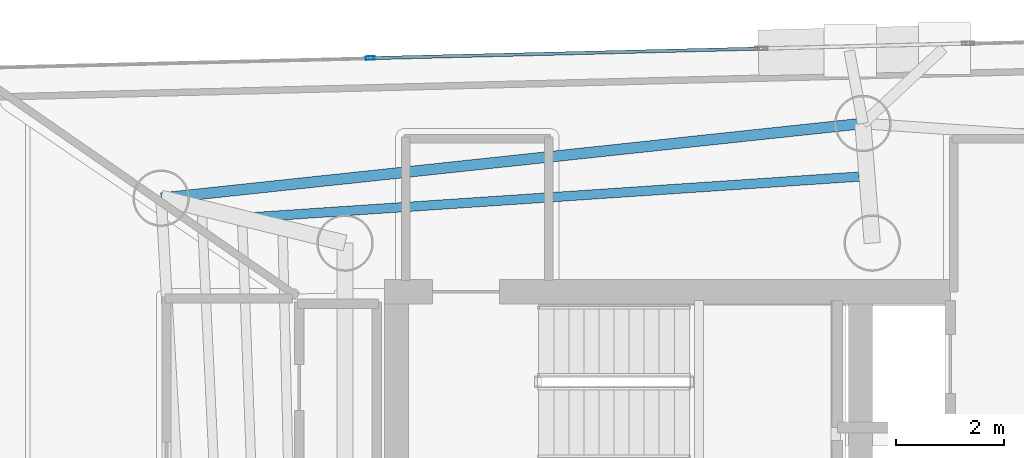
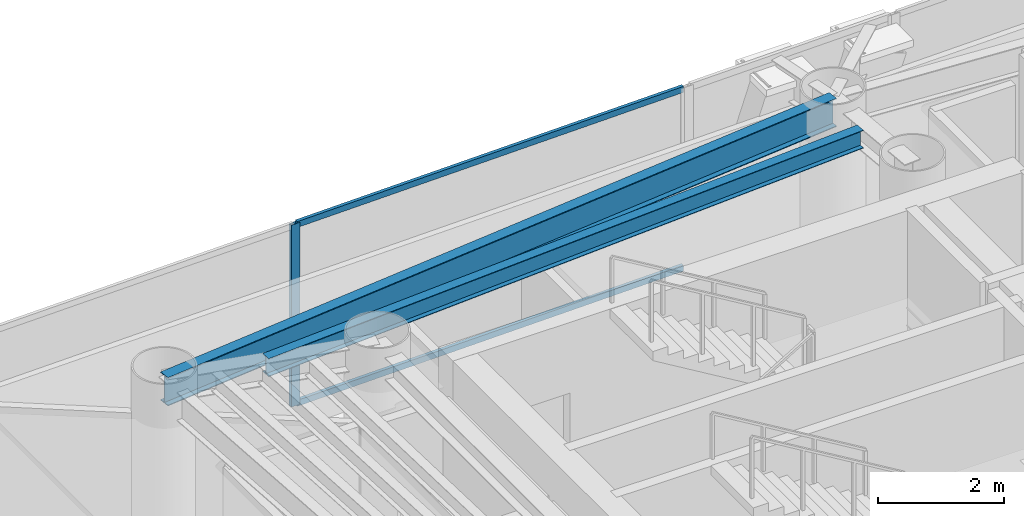
# One storey, part 9 of 20: 3 members, 2 beams, 1 element without a shape of its own.
"""IFC4 building model written with IfcOpenShell, lengths in metres."""

from ifc_helpers import new_model, si_unit, direction, frame, origin, origin_2d, place, context, subcontext, project, spatial, hollow_rectangle, i_section, extrude, material, layer, layer_set, material_profile, profile_set, type_object, element, aggregate, save


model = new_model("IFC4")

# Units and contexts
model_context = context("Model", 3, precision=1e-05, world=origin(), true_north=direction((0.0, 1.0)))
body_context = subcontext(model_context, "Body", "Model", "MODEL_VIEW")
ifc_project = project(units=[si_unit("LENGTHUNIT", "METRE"), si_unit("AREAUNIT", "SQUARE_METRE"), si_unit("VOLUMEUNIT", "CUBIC_METRE"), si_unit("PLANEANGLEUNIT", "RADIAN"), si_unit("MASSUNIT", "GRAM", prefix="KILO")], contexts=[model_context])

# Site, building, storey
site_placement = place(None, origin())
site = spatial("IfcSite", under=ifc_project, at=site_placement, CompositionType="ELEMENT")
building_placement = place(site_placement, origin())
building = spatial("IfcBuilding", under=site, at=building_placement, Name="Qianvela Tower", CompositionType="ELEMENT")
storey_placement = place(building_placement, frame((0.0, 0.0, 257.5)))
storey = spatial("IfcBuildingStorey", under=building, at=storey_placement, Name="L66", CompositionType="ELEMENT", Elevation=257.5)

# Beams
ifc_material_1 = material(Name="Steel Q355B", Category="steel")
ifc_material_profile_1 = material_profile(ifc_material_1, i_section(OverallWidth=0.175048828125, OverallDepth=0.35009765625, WebThickness=0.007080078125, FlangeThickness=0.010986328125, at=origin_2d()), Name="HN350x175x7x11")
ifc_profile_set_1 = profile_set([ifc_material_profile_1], Name="Steel Q355B")
beam_type_1 = type_object("IfcBeamType", Name="BM-HN350-JOIST", PredefinedType="JOIST", material=ifc_profile_set_1)
beam_1_placement = place(storey_placement, frame((38.15625, 34.78515625, 3.343017578125), z_axis=(-0.99776569919, -0.066810250112, 0.0), x_axis=(0.066810250112, -0.99776569919, 0.0)))
element("IfcBeam", 1, at=beam_1_placement, inside=storey, type_object=beam_type_1, Name="L66 Secondary Composite Floor Joist 2.2", PredefinedType="JOIST", context=body_context, shape_type="SweptSolid", body=[
    extrude(i_section(OverallWidth=0.175048828125, OverallDepth=0.35009765625, WebThickness=0.007080078125, FlangeThickness=0.010986328125, at=origin_2d()), origin(), (0.0, 0.0, 1.0), 11.35009765625),
])
ifc_material_2 = material(Name="Steel Q355B", Category="steel")
ifc_material_profile_2 = material_profile(ifc_material_2, i_section(OverallWidth=0.199951171875, OverallDepth=0.550048828125, WebThickness=0.010009765625, FlangeThickness=0.01611328125, at=origin_2d()), Name="HN550x200x10x16")
ifc_profile_set_2 = profile_set([ifc_material_profile_2], Name="Steel Q355B")
beam_type_2 = type_object("IfcBeamType", Name="BM-HN550-GIRD", PredefinedType="BEAM", material=ifc_profile_set_2)
beam_2_placement = place(storey_placement, frame((38.22509765625, 35.77294921875, 3.242919921875), z_axis=(-0.994378160395, -0.105887081975, 0.0), x_axis=(0.105887081975, -0.994378160395, 0.0)))
element("IfcBeam", 2, at=beam_2_placement, inside=storey, type_object=beam_type_2, Name="L66 Perimeter Ring Spandrel Girder 2", PredefinedType="BEAM", context=body_context, shape_type="SweptSolid", body=[
    extrude(i_section(OverallWidth=0.199951171875, OverallDepth=0.550048828125, WebThickness=0.010009765625, FlangeThickness=0.01611328125, at=origin_2d()), origin(), (0.0, 0.0, 1.0), 13.116943359375),
])

# Curtain wall, members
ifc_material_3 = material(Name="Anodised Architectural Aluminium and Low-E Glass", Category="aluminium")
ifc_layer = layer(ifc_material_3, 0.159912109375)
ifc_layer_set = layer_set([ifc_layer], Name="Anodised Architectural Aluminium and Low-E Glass")
curtain_wall_type = type_object("IfcCurtainWallType", Name="CW-COLIV-Z56", PredefinedType="USERDEFINED", material=ifc_layer_set)
curtain_wall_placement = place(storey_placement, origin())
curtain_wall = element("IfcCurtainWall", 3, at=curtain_wall_placement, inside=storey, type_object=curtain_wall_type, Name="L66 CW-COLIV-Z56 Curtain Wall 02C", ObjectType="CURTAIN_WALL_SYSTEM", PredefinedType="USERDEFINED")
ifc_material_4 = material(Name="Anodised Architectural Aluminium 6063-T6", Category="aluminium")
ifc_material_profile_3 = material_profile(ifc_material_4, hollow_rectangle(XDim=0.06494140625, YDim=0.159912109375, WallThickness=0.0048828125, at=origin_2d()), Name="ALU-MULL-65x160")
ifc_profile_set_3 = profile_set([ifc_material_profile_3], Name="Anodised Architectural Aluminium 6063-T6")
member_type_1 = type_object("IfcMemberType", Name="CW-COLIV-Z56-MULL", PredefinedType="MULLION", material=ifc_profile_set_3)
member_1_placement = place(storey_placement, frame((29.069091796875, 36.987060546875, 0.0), z_axis=(0.0, 0.0, 1.0), x_axis=(0.024558071614, -0.99969840508, 0.0)))
member_1 = element("IfcMember", 4, at=member_1_placement, type_object=member_type_1, Name="CW-5 mullion 2", PredefinedType="MULLION", context=body_context, shape_type="SweptSolid", body=[
    extrude(hollow_rectangle(XDim=0.06494140625, YDim=0.159912109375, WallThickness=0.0048828125, at=origin_2d()), origin(), (0.0, 0.0, 1.0), 3.52001953125),
])
ifc_material_5 = material(Name="Anodised Architectural Aluminium 6063-T6", Category="aluminium")
ifc_material_profile_4 = material_profile(ifc_material_5, hollow_rectangle(XDim=0.06005859375, YDim=0.114990234375, WallThickness=0.00390625, at=origin_2d()), Name="ALU-TRAN-60x115")
ifc_profile_set_4 = profile_set([ifc_material_profile_4], Name="Anodised Architectural Aluminium 6063-T6")
member_type_2 = type_object("IfcMemberType", Name="CW-COLIV-Z56-TRAN", PredefinedType="USERDEFINED", material=ifc_profile_set_4)
member_2_placement = place(storey_placement, frame((36.276611328125, 37.164306640625, 0.030029296875), z_axis=(-0.9996983469, -0.024560439855, 0.0), x_axis=(0.024560439855, -0.9996983469, 0.0)))
member_2 = element("IfcMember", 5, at=member_2_placement, type_object=member_type_2, Name="CW-5 transom 1.1", ObjectType="TRANSOM", PredefinedType="USERDEFINED", context=body_context, shape_type="SweptSolid", body=[
    extrude(hollow_rectangle(XDim=0.06005859375, YDim=0.114990234375, WallThickness=0.00390625, at=origin_2d()), origin(), (0.0, 0.0, 1.0), 7.177001953125),
])
member_3_placement = place(storey_placement, frame((36.276611328125, 37.164306640625, 3.489990234375), z_axis=(-0.9996983469, -0.024560439855, 0.0), x_axis=(0.024560439855, -0.9996983469, 0.0)))
member_3 = element("IfcMember", 6, at=member_3_placement, type_object=member_type_2, Name="CW-5 transom 1.2", ObjectType="TRANSOM", PredefinedType="USERDEFINED", context=body_context, shape_type="SweptSolid", body=[
    extrude(hollow_rectangle(XDim=0.06005859375, YDim=0.114990234375, WallThickness=0.00390625, at=origin_2d()), origin(), (0.0, 0.0, 1.0), 7.177001953125),
])
aggregate(curtain_wall, [member_1, member_2, member_3])

save(model, "model.ifc")
